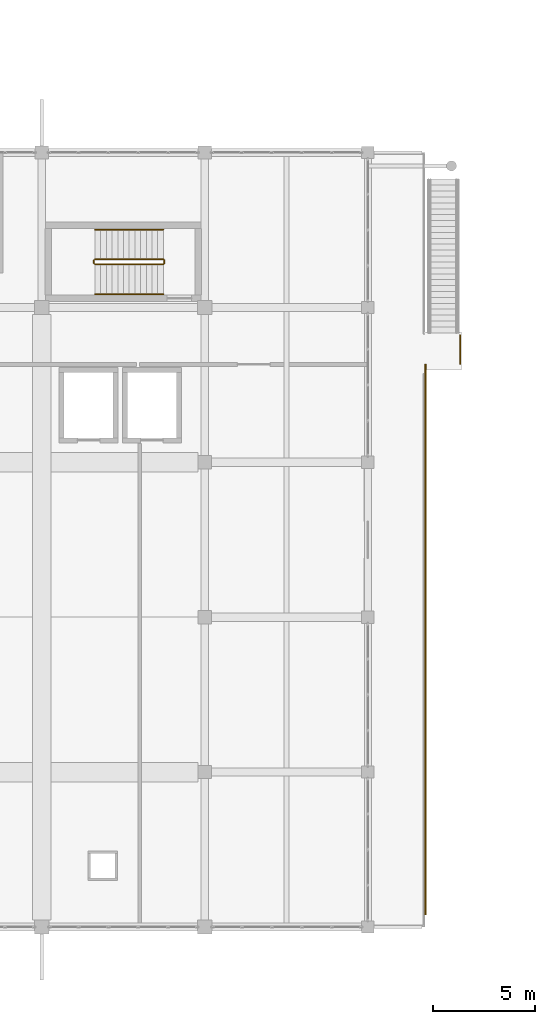
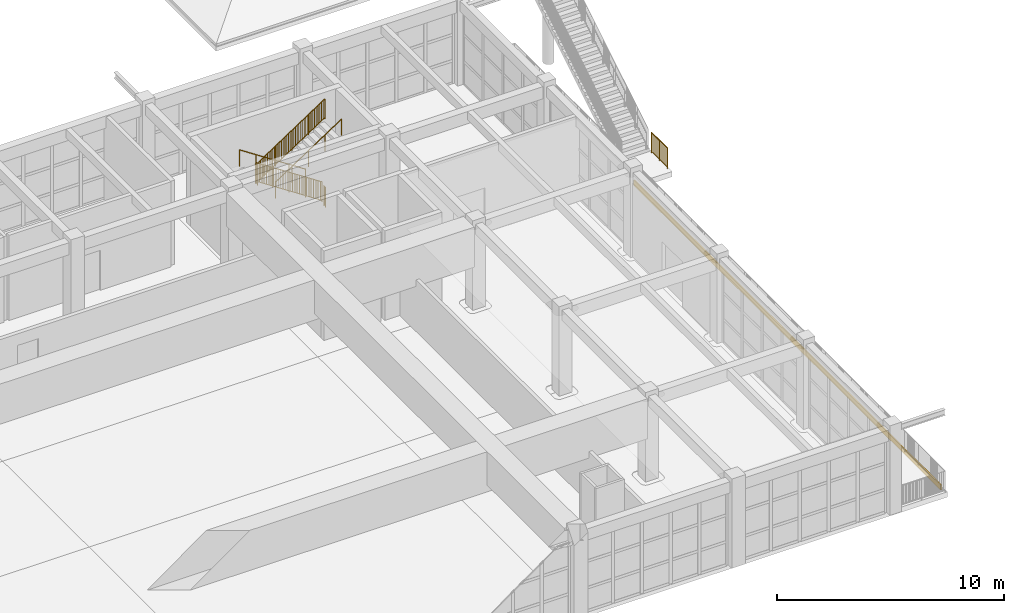
# One storey, part 47 of 50: 7 railings, 1 covering.
"""IFC4 building model written with IfcOpenShell, lengths in metres."""

from ifc_helpers import new_model, si_unit, direction, frame, origin, origin_2d, place, context, subcontext, project, spatial, polyline, rectangle, circle, outline, extrude, material, layer, layer_set, type_object, element, save


model = new_model("IFC4")

# Units and contexts
model_context = context("Model", 3, precision=1e-05, world=origin(), true_north=direction((0.0, 1.0)))
body_context = subcontext(model_context, "Body", "Model", "MODEL_VIEW")
ifc_project = project(units=[si_unit("LENGTHUNIT", "METRE"), si_unit("AREAUNIT", "SQUARE_METRE"), si_unit("VOLUMEUNIT", "CUBIC_METRE"), si_unit("PLANEANGLEUNIT", "RADIAN"), si_unit("MASSUNIT", "GRAM", prefix="KILO")], contexts=[model_context])

# Site, building, storey
site_placement = place(None, origin())
site = spatial("IfcSite", under=ifc_project, at=site_placement, CompositionType="ELEMENT")
building_placement = place(site_placement, origin())
building = spatial("IfcBuilding", under=site, at=building_placement, Name="Zantavel Square City Hall", CompositionType="ELEMENT")
storey_placement = place(building_placement, frame((0.0, 0.0, 18.89990234375)))
storey = spatial("IfcBuildingStorey", under=building, at=storey_placement, Name="L05", CompositionType="ELEMENT", Elevation=18.89990234375)

# Railings
ifc_material_1 = material(Name="Steel ASTM A500 Grade B", Category="steel")
railing_type_1 = type_object("IfcRailingType", Name="Atrium & Gallery Steel Guard Railing 1100mm", PredefinedType="GUARDRAIL", material=ifc_material_1)
railing_1_placement = place(storey_placement, frame((101.969970703125, 63.159912109375, 0.184814453125)))
element("IfcRailing", 1, at=railing_1_placement, inside=storey, type_object=railing_type_1, Name="L05 ST6 stair guard 1", PredefinedType="GUARDRAIL", context=body_context, shape_type="SweptSolid", body=[
    extrude(circle(Radius=0.02392578125, at=origin_2d()), frame((0.0, 0.0, 1.076171875), z_axis=(-0.834858096282, 0.0, 0.550465220583), x_axis=(0.0, -1.0, 0.0)), (0.0, 0.0, 1.0), 4.0244140625),
    extrude(rectangle(XDim=0.031982421875, YDim=0.031982421875, at=origin_2d()), frame((0.0, 0.0, 0.080078125), z_axis=(-0.834858096282, 0.0, 0.550465220583), x_axis=(0.0, -1.0, 0.0)), (0.0, 0.0, 1.0), 4.0244140625),
    extrude(rectangle(XDim=0.02197265625, YDim=0.02197265625, at=origin_2d()), frame((-0.08837890625, 0.0, 0.13818359375)), (0.0, 0.0, 1.0), 0.971923828125),
    extrude(rectangle(XDim=0.02197265625, YDim=0.02197265625, at=origin_2d()), frame((-0.1767578125, 0.0, 0.196533203125)), (0.0, 0.0, 1.0), 0.971923828125),
    extrude(rectangle(XDim=0.02197265625, YDim=0.02197265625, at=origin_2d()), frame((-0.26513671875, 0.0, 0.2548828125)), (0.0, 0.0, 1.0), 0.971923828125),
    extrude(rectangle(XDim=0.02197265625, YDim=0.02197265625, at=origin_2d()), frame((-0.353759765625, 0.0, 0.313232421875)), (0.0, 0.0, 1.0), 0.971923828125),
    extrude(rectangle(XDim=0.02197265625, YDim=0.02197265625, at=origin_2d()), frame((-0.442138671875, 0.0, 0.37158203125)), (0.0, 0.0, 1.0), 0.971923828125),
    extrude(rectangle(XDim=0.02197265625, YDim=0.02197265625, at=origin_2d()), frame((-0.530517578125, 0.0, 0.4296875)), (0.0, 0.0, 1.0), 0.971923828125),
    extrude(rectangle(XDim=0.02197265625, YDim=0.02197265625, at=origin_2d()), frame((-0.618896484375, 0.0, 0.488037109375)), (0.0, 0.0, 1.0), 0.971923828125),
    extrude(rectangle(XDim=0.02197265625, YDim=0.02197265625, at=origin_2d()), frame((-0.707275390625, 0.0, 0.54638671875)), (0.0, 0.0, 1.0), 0.971923828125),
    extrude(rectangle(XDim=0.02197265625, YDim=0.02197265625, at=origin_2d()), frame((-0.795654296875, 0.0, 0.604736328125)), (0.0, 0.0, 1.0), 0.971923828125),
    extrude(rectangle(XDim=0.02197265625, YDim=0.02197265625, at=origin_2d()), frame((-0.88427734375, 0.0, 0.6630859375)), (0.0, 0.0, 1.0), 0.971923828125),
    extrude(rectangle(XDim=0.02197265625, YDim=0.02197265625, at=origin_2d()), frame((-0.97265625, 0.0, 0.72119140625)), (0.0, 0.0, 1.0), 0.971923828125),
    extrude(rectangle(XDim=0.02197265625, YDim=0.02197265625, at=origin_2d()), frame((-1.06103515625, 0.0, 0.779541015625)), (0.0, 0.0, 1.0), 0.971923828125),
    extrude(rectangle(XDim=0.02197265625, YDim=0.02197265625, at=origin_2d()), frame((-1.1494140625, 0.0, 0.837890625)), (0.0, 0.0, 1.0), 0.971923828125),
    extrude(rectangle(XDim=0.02197265625, YDim=0.02197265625, at=origin_2d()), frame((-1.23779296875, 0.0, 0.896240234375)), (0.0, 0.0, 1.0), 0.971923828125),
    extrude(rectangle(XDim=0.02197265625, YDim=0.02197265625, at=origin_2d()), frame((-1.326171875, 0.0, 0.95458984375)), (0.0, 0.0, 1.0), 0.971923828125),
    extrude(rectangle(XDim=0.02197265625, YDim=0.02197265625, at=origin_2d()), frame((-1.414794921875, 0.0, 1.0126953125)), (0.0, 0.0, 1.0), 0.971923828125),
    extrude(rectangle(XDim=0.02197265625, YDim=0.02197265625, at=origin_2d()), frame((-1.503173828125, 0.0, 1.071044921875)), (0.0, 0.0, 1.0), 0.971923828125),
    extrude(rectangle(XDim=0.02197265625, YDim=0.02197265625, at=origin_2d()), frame((-1.591552734375, 0.0, 1.12939453125)), (0.0, 0.0, 1.0), 0.971923828125),
    extrude(rectangle(XDim=0.02197265625, YDim=0.02197265625, at=origin_2d()), frame((-1.768310546875, 0.0, 1.245849609375)), (0.0, 0.0, 1.0), 0.971923828125),
    extrude(rectangle(XDim=0.02197265625, YDim=0.02197265625, at=origin_2d()), frame((-1.856689453125, 0.0, 1.30419921875)), (0.0, 0.0, 1.0), 0.971923828125),
    extrude(rectangle(XDim=0.02197265625, YDim=0.02197265625, at=origin_2d()), frame((-1.945068359375, 0.0, 1.362548828125)), (0.0, 0.0, 1.0), 0.971923828125),
    extrude(rectangle(XDim=0.02197265625, YDim=0.02197265625, at=origin_2d()), frame((-2.03369140625, 0.0, 1.4208984375)), (0.0, 0.0, 1.0), 0.971923828125),
    extrude(rectangle(XDim=0.02197265625, YDim=0.02197265625, at=origin_2d()), frame((-2.1220703125, 0.0, 1.479248046875)), (0.0, 0.0, 1.0), 0.971923828125),
    extrude(rectangle(XDim=0.02197265625, YDim=0.02197265625, at=origin_2d()), frame((-2.21044921875, 0.0, 1.537353515625)), (0.0, 0.0, 1.0), 0.971923828125),
    extrude(rectangle(XDim=0.02197265625, YDim=0.02197265625, at=origin_2d()), frame((-2.298828125, 0.0, 1.595703125)), (0.0, 0.0, 1.0), 0.971923828125),
    extrude(rectangle(XDim=0.02197265625, YDim=0.02197265625, at=origin_2d()), frame((-2.38720703125, 0.0, 1.654052734375)), (0.0, 0.0, 1.0), 0.971923828125),
    extrude(rectangle(XDim=0.02197265625, YDim=0.02197265625, at=origin_2d()), frame((-2.4755859375, 0.0, 1.71240234375)), (0.0, 0.0, 1.0), 0.971923828125),
    extrude(rectangle(XDim=0.02197265625, YDim=0.02197265625, at=origin_2d()), frame((-2.564208984375, 0.0, 1.770751953125)), (0.0, 0.0, 1.0), 0.971923828125),
    extrude(rectangle(XDim=0.02197265625, YDim=0.02197265625, at=origin_2d()), frame((-2.652587890625, 0.0, 1.828857421875)), (0.0, 0.0, 1.0), 0.971923828125),
    extrude(rectangle(XDim=0.02197265625, YDim=0.02197265625, at=origin_2d()), frame((-2.740966796875, 0.0, 1.88720703125)), (0.0, 0.0, 1.0), 0.971923828125),
    extrude(rectangle(XDim=0.02197265625, YDim=0.02197265625, at=origin_2d()), frame((-2.829345703125, 0.0, 1.945556640625)), (0.0, 0.0, 1.0), 0.971923828125),
    extrude(rectangle(XDim=0.02197265625, YDim=0.02197265625, at=origin_2d()), frame((-2.917724609375, 0.0, 2.00390625)), (0.0, 0.0, 1.0), 0.971923828125),
    extrude(rectangle(XDim=0.02197265625, YDim=0.02197265625, at=origin_2d()), frame((-3.006103515625, 0.0, 2.062255859375)), (0.0, 0.0, 1.0), 0.971923828125),
    extrude(rectangle(XDim=0.02197265625, YDim=0.02197265625, at=origin_2d()), frame((-3.0947265625, 0.0, 2.120361328125)), (0.0, 0.0, 1.0), 0.971923828125),
    extrude(rectangle(XDim=0.02197265625, YDim=0.02197265625, at=origin_2d()), frame((-3.18310546875, 0.0, 2.1787109375)), (0.0, 0.0, 1.0), 0.971923828125),
    extrude(rectangle(XDim=0.02197265625, YDim=0.02197265625, at=origin_2d()), frame((-3.271484375, 0.0, 2.237060546875)), (0.0, 0.0, 1.0), 0.971923828125),
    extrude(circle(Radius=0.02099609375, at=origin_2d()), origin(), (0.0, 0.0, 1.0), 1.052001953125),
    extrude(circle(Radius=0.02099609375, at=origin_2d()), frame((-0.83984375, 0.0, 0.5537109375)), (0.0, 0.0, 1.0), 1.052001953125),
    extrude(circle(Radius=0.02099609375, at=origin_2d()), frame((-1.679931640625, 0.0, 1.107666015625)), (0.0, 0.0, 1.0), 1.052001953125),
    extrude(circle(Radius=0.02099609375, at=origin_2d()), frame((-2.52001953125, 0.0, 1.66162109375)), (0.0, 0.0, 1.0), 1.052001953125),
    extrude(circle(Radius=0.02099609375, at=origin_2d()), frame((-3.35986328125, 0.0, 2.21533203125)), (0.0, 0.0, 1.0), 1.052001953125),
])
railing_2_placement = place(storey_placement, frame((98.56005859375, 63.110107421875, 2.400146484375)))
element("IfcRailing", 2, at=railing_2_placement, inside=storey, type_object=railing_type_1, Name="L05 ST6 stair guard 2", PredefinedType="GUARDRAIL", context=body_context, shape_type="SweptSolid", body=[
    extrude(circle(Radius=0.02392578125, at=origin_2d()), frame((0.0, 0.0, 1.076171875), z_axis=(0.0, -1.0, 0.0), x_axis=(1.0, 0.0, 0.0)), (0.0, 0.0, 1.0), 0.150146484375),
    extrude(rectangle(XDim=0.031982421875, YDim=0.031982421875, at=origin_2d()), frame((0.0, 0.0, 0.080078125), z_axis=(0.0, -1.0, 0.0), x_axis=(1.0, 0.0, 0.0)), (0.0, 0.0, 1.0), 0.150146484375),
    extrude(rectangle(XDim=0.02197265625, YDim=0.02197265625, at=origin_2d()), frame((0.0, -0.0751953125, 0.080078125)), (0.0, 0.0, 1.0), 0.971923828125),
    extrude(circle(Radius=0.02099609375, at=origin_2d()), origin(), (0.0, 0.0, 1.0), 1.052001953125),
    extrude(circle(Radius=0.02099609375, at=origin_2d()), frame((0.0, -0.150146484375, 0.0)), (0.0, 0.0, 1.0), 1.052001953125),
])
railing_3_placement = place(storey_placement, frame((98.610107421875, 62.909912109375, 2.584716796875)))
element("IfcRailing", 3, at=railing_3_placement, inside=storey, type_object=railing_type_1, Name="L05 ST6 stair guard 3", PredefinedType="GUARDRAIL", context=body_context, shape_type="SweptSolid", body=[
    extrude(circle(Radius=0.02392578125, at=origin_2d()), frame((0.0, 0.0, 1.076171875), z_axis=(0.834858096282, 0.0, 0.550465220583), x_axis=(0.0, 1.0, 0.0)), (0.0, 0.0, 1.0), 4.0244140625),
    extrude(rectangle(XDim=0.031982421875, YDim=0.031982421875, at=origin_2d()), frame((0.0, 0.0, 0.080078125), z_axis=(0.834858096282, 0.0, 0.550465220583), x_axis=(0.0, 1.0, 0.0)), (0.0, 0.0, 1.0), 4.0244140625),
    extrude(rectangle(XDim=0.02197265625, YDim=0.02197265625, at=origin_2d()), frame((0.08837890625, 0.0, 0.13818359375)), (0.0, 0.0, 1.0), 0.971923828125),
    extrude(rectangle(XDim=0.02197265625, YDim=0.02197265625, at=origin_2d()), frame((0.1767578125, 0.0, 0.196533203125)), (0.0, 0.0, 1.0), 0.971923828125),
    extrude(rectangle(XDim=0.02197265625, YDim=0.02197265625, at=origin_2d()), frame((0.26513671875, 0.0, 0.2548828125)), (0.0, 0.0, 1.0), 0.971923828125),
    extrude(rectangle(XDim=0.02197265625, YDim=0.02197265625, at=origin_2d()), frame((0.353759765625, 0.0, 0.313232421875)), (0.0, 0.0, 1.0), 0.971923828125),
    extrude(rectangle(XDim=0.02197265625, YDim=0.02197265625, at=origin_2d()), frame((0.442138671875, 0.0, 0.37158203125)), (0.0, 0.0, 1.0), 0.971923828125),
    extrude(rectangle(XDim=0.02197265625, YDim=0.02197265625, at=origin_2d()), frame((0.530517578125, 0.0, 0.4296875)), (0.0, 0.0, 1.0), 0.971923828125),
    extrude(rectangle(XDim=0.02197265625, YDim=0.02197265625, at=origin_2d()), frame((0.618896484375, 0.0, 0.488037109375)), (0.0, 0.0, 1.0), 0.971923828125),
    extrude(rectangle(XDim=0.02197265625, YDim=0.02197265625, at=origin_2d()), frame((0.707275390625, 0.0, 0.54638671875)), (0.0, 0.0, 1.0), 0.971923828125),
    extrude(rectangle(XDim=0.02197265625, YDim=0.02197265625, at=origin_2d()), frame((0.795654296875, 0.0, 0.604736328125)), (0.0, 0.0, 1.0), 0.971923828125),
    extrude(rectangle(XDim=0.02197265625, YDim=0.02197265625, at=origin_2d()), frame((0.88427734375, 0.0, 0.6630859375)), (0.0, 0.0, 1.0), 0.971923828125),
    extrude(rectangle(XDim=0.02197265625, YDim=0.02197265625, at=origin_2d()), frame((0.97265625, 0.0, 0.72119140625)), (0.0, 0.0, 1.0), 0.971923828125),
    extrude(rectangle(XDim=0.02197265625, YDim=0.02197265625, at=origin_2d()), frame((1.06103515625, 0.0, 0.779541015625)), (0.0, 0.0, 1.0), 0.971923828125),
    extrude(rectangle(XDim=0.02197265625, YDim=0.02197265625, at=origin_2d()), frame((1.1494140625, 0.0, 0.837890625)), (0.0, 0.0, 1.0), 0.971923828125),
    extrude(rectangle(XDim=0.02197265625, YDim=0.02197265625, at=origin_2d()), frame((1.23779296875, 0.0, 0.896240234375)), (0.0, 0.0, 1.0), 0.971923828125),
    extrude(rectangle(XDim=0.02197265625, YDim=0.02197265625, at=origin_2d()), frame((1.326171875, 0.0, 0.95458984375)), (0.0, 0.0, 1.0), 0.971923828125),
    extrude(rectangle(XDim=0.02197265625, YDim=0.02197265625, at=origin_2d()), frame((1.414794921875, 0.0, 1.0126953125)), (0.0, 0.0, 1.0), 0.971923828125),
    extrude(rectangle(XDim=0.02197265625, YDim=0.02197265625, at=origin_2d()), frame((1.503173828125, 0.0, 1.071044921875)), (0.0, 0.0, 1.0), 0.971923828125),
    extrude(rectangle(XDim=0.02197265625, YDim=0.02197265625, at=origin_2d()), frame((1.591552734375, 0.0, 1.12939453125)), (0.0, 0.0, 1.0), 0.971923828125),
    extrude(rectangle(XDim=0.02197265625, YDim=0.02197265625, at=origin_2d()), frame((1.768310546875, 0.0, 1.245849609375)), (0.0, 0.0, 1.0), 0.971923828125),
    extrude(rectangle(XDim=0.02197265625, YDim=0.02197265625, at=origin_2d()), frame((1.856689453125, 0.0, 1.30419921875)), (0.0, 0.0, 1.0), 0.971923828125),
    extrude(rectangle(XDim=0.02197265625, YDim=0.02197265625, at=origin_2d()), frame((1.945068359375, 0.0, 1.362548828125)), (0.0, 0.0, 1.0), 0.971923828125),
    extrude(rectangle(XDim=0.02197265625, YDim=0.02197265625, at=origin_2d()), frame((2.03369140625, 0.0, 1.4208984375)), (0.0, 0.0, 1.0), 0.971923828125),
    extrude(rectangle(XDim=0.02197265625, YDim=0.02197265625, at=origin_2d()), frame((2.1220703125, 0.0, 1.479248046875)), (0.0, 0.0, 1.0), 0.971923828125),
    extrude(rectangle(XDim=0.02197265625, YDim=0.02197265625, at=origin_2d()), frame((2.21044921875, 0.0, 1.537353515625)), (0.0, 0.0, 1.0), 0.971923828125),
    extrude(rectangle(XDim=0.02197265625, YDim=0.02197265625, at=origin_2d()), frame((2.298828125, 0.0, 1.595703125)), (0.0, 0.0, 1.0), 0.971923828125),
    extrude(rectangle(XDim=0.02197265625, YDim=0.02197265625, at=origin_2d()), frame((2.38720703125, 0.0, 1.654052734375)), (0.0, 0.0, 1.0), 0.971923828125),
    extrude(rectangle(XDim=0.02197265625, YDim=0.02197265625, at=origin_2d()), frame((2.4755859375, 0.0, 1.71240234375)), (0.0, 0.0, 1.0), 0.971923828125),
    extrude(rectangle(XDim=0.02197265625, YDim=0.02197265625, at=origin_2d()), frame((2.564208984375, 0.0, 1.770751953125)), (0.0, 0.0, 1.0), 0.971923828125),
    extrude(rectangle(XDim=0.02197265625, YDim=0.02197265625, at=origin_2d()), frame((2.652587890625, 0.0, 1.828857421875)), (0.0, 0.0, 1.0), 0.971923828125),
    extrude(rectangle(XDim=0.02197265625, YDim=0.02197265625, at=origin_2d()), frame((2.740966796875, 0.0, 1.88720703125)), (0.0, 0.0, 1.0), 0.971923828125),
    extrude(rectangle(XDim=0.02197265625, YDim=0.02197265625, at=origin_2d()), frame((2.829345703125, 0.0, 1.945556640625)), (0.0, 0.0, 1.0), 0.971923828125),
    extrude(rectangle(XDim=0.02197265625, YDim=0.02197265625, at=origin_2d()), frame((2.917724609375, 0.0, 2.00390625)), (0.0, 0.0, 1.0), 0.971923828125),
    extrude(rectangle(XDim=0.02197265625, YDim=0.02197265625, at=origin_2d()), frame((3.006103515625, 0.0, 2.062255859375)), (0.0, 0.0, 1.0), 0.971923828125),
    extrude(rectangle(XDim=0.02197265625, YDim=0.02197265625, at=origin_2d()), frame((3.0947265625, 0.0, 2.120361328125)), (0.0, 0.0, 1.0), 0.971923828125),
    extrude(rectangle(XDim=0.02197265625, YDim=0.02197265625, at=origin_2d()), frame((3.18310546875, 0.0, 2.1787109375)), (0.0, 0.0, 1.0), 0.971923828125),
    extrude(rectangle(XDim=0.02197265625, YDim=0.02197265625, at=origin_2d()), frame((3.271484375, 0.0, 2.237060546875)), (0.0, 0.0, 1.0), 0.971923828125),
    extrude(circle(Radius=0.02099609375, at=origin_2d()), origin(), (0.0, 0.0, 1.0), 1.052001953125),
    extrude(circle(Radius=0.02099609375, at=origin_2d()), frame((0.83984375, 0.0, 0.5537109375)), (0.0, 0.0, 1.0), 1.052001953125),
    extrude(circle(Radius=0.02099609375, at=origin_2d()), frame((1.679931640625, 0.0, 1.107666015625)), (0.0, 0.0, 1.0), 1.052001953125),
    extrude(circle(Radius=0.02099609375, at=origin_2d()), frame((2.52001953125, 0.0, 1.66162109375)), (0.0, 0.0, 1.0), 1.052001953125),
    extrude(circle(Radius=0.02099609375, at=origin_2d()), frame((3.35986328125, 0.0, 2.21533203125)), (0.0, 0.0, 1.0), 1.052001953125),
])
railing_4_placement = place(storey_placement, frame((102.02001953125, 63.110107421875, 0.0)))
element("IfcRailing", 4, at=railing_4_placement, inside=storey, type_object=railing_type_1, Name="L05 ST6 stair guard 4", PredefinedType="GUARDRAIL", context=body_context, shape_type="SweptSolid", body=[
    extrude(circle(Radius=0.02392578125, at=origin_2d()), frame((0.0, 0.0, 1.076171875), z_axis=(0.0, -1.0, 0.0), x_axis=(1.0, 0.0, 0.0)), (0.0, 0.0, 1.0), 0.150146484375),
    extrude(rectangle(XDim=0.031982421875, YDim=0.031982421875, at=origin_2d()), frame((0.0, 0.0, 0.080078125), z_axis=(0.0, -1.0, 0.0), x_axis=(1.0, 0.0, 0.0)), (0.0, 0.0, 1.0), 0.150146484375),
    extrude(rectangle(XDim=0.02197265625, YDim=0.02197265625, at=origin_2d()), frame((0.0, -0.0751953125, 0.080078125)), (0.0, 0.0, 1.0), 0.971923828125),
    extrude(circle(Radius=0.02099609375, at=origin_2d()), origin(), (0.0, 0.0, 1.0), 1.052001953125),
    extrude(circle(Radius=0.02099609375, at=origin_2d()), frame((0.0, -0.150146484375, 0.0)), (0.0, 0.0, 1.0), 1.052001953125),
])

# Covering
ifc_material_2 = material(Name="White cantera volcanic tuff stone", Category="masonry")
ifc_layer = layer(ifc_material_2, 0.06005859375, Name="White cantera volcanic tuff stone")
ifc_layer_set = layer_set([ifc_layer], Name="White cantera volcanic tuff stone")
covering_type = type_object("IfcCoveringType", Name="Carved White Cantera Tray Fascia Cladding 60mm", PredefinedType="CLADDING", material=ifc_layer_set)
covering_placement = place(storey_placement, frame((0.0, 0.0, -0.27978515625)))
element("IfcCovering", 5, at=covering_placement, inside=storey, type_object=covering_type, Name="L05 White Cantera Tray Fascia COV-FASCIA-L05E", PredefinedType="CLADDING", context=body_context, shape_type="SweptSolid", body=[
    extrude(outline(polyline([(114.800048828125, 31.0), (114.860107421875, 31.0), (114.860107421875, 58.0), (114.800048828125, 58.0), (114.800048828125, 31.0)])), origin(), (0.0, 0.0, 1.0), 0.27978515625),
])

# Railings
railing_type_2 = type_object("IfcRailingType", Name="Classical Stone & Steel Terrace Balustrade 1100mm", PredefinedType="BALUSTRADE", material=ifc_material_1)
railing_5_placement = place(storey_placement, frame((116.530029296875, 59.429931640625, 0.0)))
element("IfcRailing", 6, at=railing_5_placement, inside=storey, type_object=railing_type_2, Name="L05 Terrace Balustrade 054", PredefinedType="BALUSTRADE", context=body_context, shape_type="SweptSolid", body=[
    extrude(circle(Radius=0.02392578125, at=origin_2d()), frame((0.0, 0.0, 1.09619140625), z_axis=(0.0, -1.0, 0.0), x_axis=(1.0, 0.0, 0.0)), (0.0, 0.0, 1.0), 1.409912109375),
    extrude(rectangle(XDim=0.031982421875, YDim=0.031982421875, at=origin_2d()), frame((0.0, 0.0, 0.080078125), z_axis=(0.0, -1.0, 0.0), x_axis=(1.0, 0.0, 0.0)), (0.0, 0.0, 1.0), 1.409912109375),
    extrude(rectangle(XDim=0.02197265625, YDim=0.02197265625, at=origin_2d()), frame((0.0, -0.088134765625, 0.080078125)), (0.0, 0.0, 1.0), 0.991943359375),
    extrude(rectangle(XDim=0.02197265625, YDim=0.02197265625, at=origin_2d()), frame((0.0, -0.17626953125, 0.080078125)), (0.0, 0.0, 1.0), 0.991943359375),
    extrude(rectangle(XDim=0.02197265625, YDim=0.02197265625, at=origin_2d()), frame((0.0, -0.264404296875, 0.080078125)), (0.0, 0.0, 1.0), 0.991943359375),
    extrude(rectangle(XDim=0.02197265625, YDim=0.02197265625, at=origin_2d()), frame((0.0, -0.3525390625, 0.080078125)), (0.0, 0.0, 1.0), 0.991943359375),
    extrude(rectangle(XDim=0.02197265625, YDim=0.02197265625, at=origin_2d()), frame((0.0, -0.440673828125, 0.080078125)), (0.0, 0.0, 1.0), 0.991943359375),
    extrude(rectangle(XDim=0.02197265625, YDim=0.02197265625, at=origin_2d()), frame((0.0, -0.52880859375, 0.080078125)), (0.0, 0.0, 1.0), 0.991943359375),
    extrude(rectangle(XDim=0.02197265625, YDim=0.02197265625, at=origin_2d()), frame((0.0, -0.616943359375, 0.080078125)), (0.0, 0.0, 1.0), 0.991943359375),
    extrude(rectangle(XDim=0.02197265625, YDim=0.02197265625, at=origin_2d()), frame((0.0, -0.79296875, 0.080078125)), (0.0, 0.0, 1.0), 0.991943359375),
    extrude(rectangle(XDim=0.02197265625, YDim=0.02197265625, at=origin_2d()), frame((0.0, -0.881103515625, 0.080078125)), (0.0, 0.0, 1.0), 0.991943359375),
    extrude(rectangle(XDim=0.02197265625, YDim=0.02197265625, at=origin_2d()), frame((0.0, -0.96923828125, 0.080078125)), (0.0, 0.0, 1.0), 0.991943359375),
    extrude(rectangle(XDim=0.02197265625, YDim=0.02197265625, at=origin_2d()), frame((0.0, -1.057373046875, 0.080078125)), (0.0, 0.0, 1.0), 0.991943359375),
    extrude(rectangle(XDim=0.02197265625, YDim=0.02197265625, at=origin_2d()), frame((0.0, -1.1455078125, 0.080078125)), (0.0, 0.0, 1.0), 0.991943359375),
    extrude(rectangle(XDim=0.02197265625, YDim=0.02197265625, at=origin_2d()), frame((0.0, -1.233642578125, 0.080078125)), (0.0, 0.0, 1.0), 0.991943359375),
    extrude(rectangle(XDim=0.02197265625, YDim=0.02197265625, at=origin_2d()), frame((0.0, -1.32177734375, 0.080078125)), (0.0, 0.0, 1.0), 0.991943359375),
    extrude(circle(Radius=0.02099609375, at=origin_2d()), origin(), (0.0, 0.0, 1.0), 1.072021484375),
    extrude(circle(Radius=0.02099609375, at=origin_2d()), frame((0.0, -0.705078125, 0.0)), (0.0, 0.0, 1.0), 1.072021484375),
    extrude(circle(Radius=0.02099609375, at=origin_2d()), frame((0.0, -1.409912109375, 0.0)), (0.0, 0.0, 1.0), 1.072021484375),
])
ifc_material_3 = material(Name="Stainless steel 316", Category="steel")
railing_type_3 = type_object("IfcRailingType", Name="Stair Stainless Steel Handrail 900mm", PredefinedType="HANDRAIL", material=ifc_material_3)
railing_6_placement = place(storey_placement, frame((101.969970703125, 64.6201171875, 0.184814453125)))
element("IfcRailing", 7, at=railing_6_placement, inside=storey, type_object=railing_type_3, Name="L05 ST6 stair handrail 1", PredefinedType="HANDRAIL", context=body_context, shape_type="SweptSolid", body=[
    extrude(circle(Radius=0.02392578125, at=origin_2d()), frame((0.0, 0.0, 0.8759765625), z_axis=(-0.834858096282, 0.0, 0.550465220583), x_axis=(0.0, -1.0, 0.0)), (0.0, 0.0, 1.0), 4.0244140625),
    extrude(circle(Radius=0.02099609375, at=origin_2d()), origin(), (0.0, 0.0, 1.0), 0.851806640625),
    extrude(circle(Radius=0.02099609375, at=origin_2d()), frame((-0.83984375, 0.0, 0.5537109375)), (0.0, 0.0, 1.0), 0.851806640625),
    extrude(circle(Radius=0.02099609375, at=origin_2d()), frame((-1.679931640625, 0.0, 1.107666015625)), (0.0, 0.0, 1.0), 0.851806640625),
    extrude(circle(Radius=0.02099609375, at=origin_2d()), frame((-2.52001953125, 0.0, 1.66162109375)), (0.0, 0.0, 1.0), 0.851806640625),
    extrude(circle(Radius=0.02099609375, at=origin_2d()), frame((-3.35986328125, 0.0, 2.21533203125)), (0.0, 0.0, 1.0), 0.851806640625),
])
railing_7_placement = place(storey_placement, frame((98.610107421875, 61.449951171875, 2.584716796875)))
element("IfcRailing", 8, at=railing_7_placement, inside=storey, type_object=railing_type_3, Name="L05 ST6 stair handrail 2", PredefinedType="HANDRAIL", context=body_context, shape_type="SweptSolid", body=[
    extrude(circle(Radius=0.02392578125, at=origin_2d()), frame((0.0, 0.0, 0.8759765625), z_axis=(0.834858096282, 0.0, 0.550465220583), x_axis=(0.0, 1.0, 0.0)), (0.0, 0.0, 1.0), 4.0244140625),
    extrude(circle(Radius=0.02099609375, at=origin_2d()), origin(), (0.0, 0.0, 1.0), 0.851806640625),
    extrude(circle(Radius=0.02099609375, at=origin_2d()), frame((0.83984375, 0.0, 0.5537109375)), (0.0, 0.0, 1.0), 0.851806640625),
    extrude(circle(Radius=0.02099609375, at=origin_2d()), frame((1.679931640625, 0.0, 1.107666015625)), (0.0, 0.0, 1.0), 0.851806640625),
    extrude(circle(Radius=0.02099609375, at=origin_2d()), frame((2.52001953125, 0.0, 1.66162109375)), (0.0, 0.0, 1.0), 0.851806640625),
    extrude(circle(Radius=0.02099609375, at=origin_2d()), frame((3.35986328125, 0.0, 2.21533203125)), (0.0, 0.0, 1.0), 0.851806640625),
])

save(model, "model.ifc")
